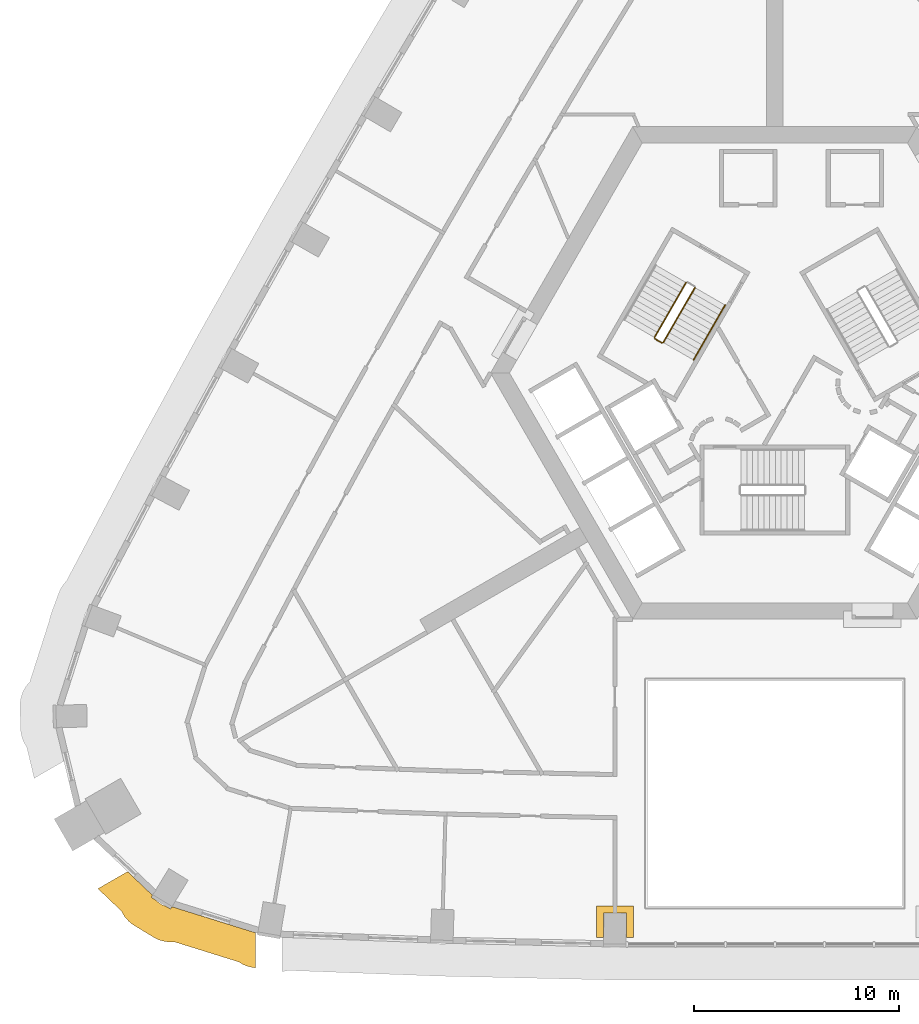
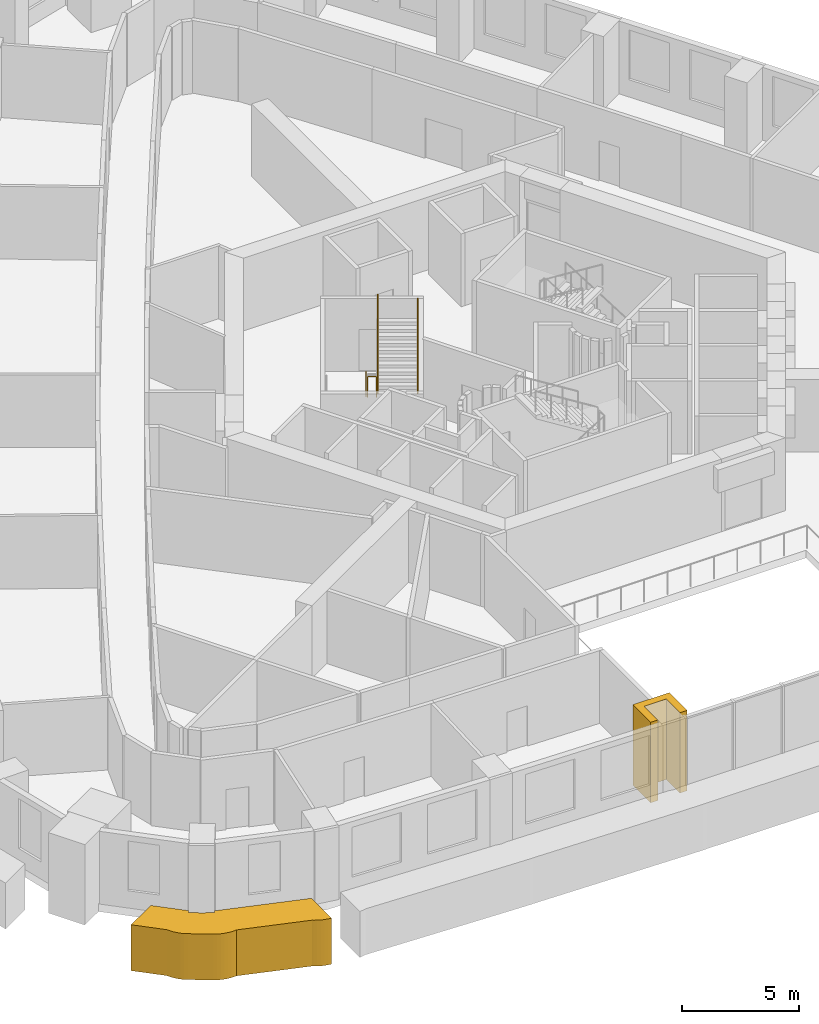
# One storey, part 12 of 17: 4 railings, 2 coverings.
"""IFC4 building model written with IfcOpenShell, lengths in metres."""

from ifc_helpers import new_model, si_unit, direction, frame, origin, origin_2d, place, context, subcontext, project, spatial, polyline, circle, outline, extrude, material, type_object, element, save


model = new_model("IFC4")

# Units and contexts
model_context = context("Model", 3, precision=1e-05, world=origin(), true_north=direction((0.0, 1.0)))
body_context = subcontext(model_context, "Body", "Model", "MODEL_VIEW")
ifc_project = project(units=[si_unit("LENGTHUNIT", "METRE"), si_unit("AREAUNIT", "SQUARE_METRE"), si_unit("VOLUMEUNIT", "CUBIC_METRE"), si_unit("PLANEANGLEUNIT", "RADIAN"), si_unit("MASSUNIT", "GRAM", prefix="KILO")], contexts=[model_context])

# Site, building, storey
site_placement = place(None, origin())
site = spatial("IfcSite", under=ifc_project, at=site_placement, CompositionType="ELEMENT")
building_placement = place(site_placement, origin())
building = spatial("IfcBuilding", under=site, at=building_placement, Name="Entoto Arch Interchange Tower", CompositionType="ELEMENT")
storey_placement = place(building_placement, frame((0.0, 0.0, 167.60009765625)))
storey = spatial("IfcBuildingStorey", under=building, at=storey_placement, Name="L37", CompositionType="ELEMENT", Elevation=167.60009765625)

# Coverings
ifc_material_1 = material(Name="Board-marked precast concrete C50/60", Category="concrete")
covering_type = type_object("IfcCoveringType", Name="PRECAST FRAME COURSE", PredefinedType="CLADDING", material=ifc_material_1)
covering_1_placement = place(storey_placement, frame((0.0, 0.0, -0.400146484375)))
element("IfcCovering", 1, at=covering_1_placement, inside=storey, type_object=covering_type, Name="Gate pier L37", PredefinedType="CLADDING", context=body_context, shape_type="SweptSolid", body=[
    extrude(outline(polyline([(-8.68896484375, -23.472900390625), (-6.888916015625, -23.472900390625), (-6.888916015625, -24.9990234375), (-7.239013671875, -24.9990234375), (-7.239013671875, -23.822998046875), (-8.339111328125, -23.822998046875), (-8.339111328125, -24.9990234375), (-8.68896484375, -24.9990234375), (-8.68896484375, -23.472900390625)])), origin(), (0.0, 0.0, 1.0), 4.199951171875),
])
covering_2_placement = place(storey_placement, frame((0.0, 0.0, -2.10009765625)))
element("IfcCovering", 2, at=covering_2_placement, inside=storey, type_object=covering_type, Name="Slab edge fin L37", PredefinedType="CLADDING", context=body_context, shape_type="SweptSolid", body=[
    extrude(outline(polyline([(-25.47998046875, -26.4619140625), (-25.634033203125, -26.427978515625), (-25.782958984375, -26.37890625), (-25.927001953125, -26.31591796875), (-26.06298828125, -26.239013671875), (-26.116943359375, -26.200927734375), (-29.279052734375, -25.215087890625), (-29.383056640625, -25.22412109375), (-29.5400390625, -25.222900390625), (-29.697021484375, -25.2060546875), (-29.85009765625, -25.174072265625), (-30.0, -25.1279296875), (-30.14501953125, -25.06591796875), (-30.282958984375, -24.990966796875), (-31.221923828125, -24.4189453125), (-31.35205078125, -24.330078125), (-31.471923828125, -24.22998046875), (-31.58203125, -24.117919921875), (-31.680908203125, -23.99609375), (-31.76708984375, -23.864013671875), (-31.840087890625, -23.72509765625), (-31.843994140625, -23.717041015625), (-32.987060546875, -22.6298828125), (-31.54296875, -21.7958984375), (-30.326904296875, -22.950927734375), (-30.388916015625, -23.052978515625), (-30.132080078125, -23.208984375), (-30.111083984375, -23.23193359375), (-30.04296875, -23.2939453125), (-29.968994140625, -23.347900390625), (-29.89111328125, -23.39599609375), (-29.80810546875, -23.43505859375), (-29.720947265625, -23.466064453125), (-29.7041015625, -23.469970703125), (-29.448974609375, -23.625), (-29.3779296875, -23.508056640625), (-25.319091796875, -24.77392578125), (-25.319091796875, -26.489013671875), (-25.47998046875, -26.4619140625)])), origin(), (0.0, 0.0, 1.0), 2.39990234375),
])

# Railings
ifc_material_2 = material(Name="Stainless steel 1.4301", Category="steel")
railing_type_1 = type_object("IfcRailingType", Name="STAIR GUARD 1100 STEEL", PredefinedType="GUARDRAIL", material=ifc_material_2)
railing_1_placement = place(storey_placement, frame((-4.327880859375, 6.904052734375, 0.1748046875)))
element("IfcRailing", 3, at=railing_1_placement, inside=storey, type_object=railing_type_1, Name="L37 ST-NW stair guard 1", PredefinedType="GUARDRAIL", context=body_context, shape_type="SweptSolid", body=[
    extrude(circle(Radius=0.02392578125, at=origin_2d()), frame((0.0, 0.0, 1.076171875), z_axis=(-0.423994474112, -0.734394994316, 0.52999309264), x_axis=(0.866029832698, -0.499992328818, 0.0)), (0.0, 0.0, 1.0), 3.63232421875),
    extrude(circle(Radius=0.02099609375, at=origin_2d()), origin(), (0.0, 0.0, 1.0), 1.052001953125),
    extrude(circle(Radius=0.02099609375, at=origin_2d()), frame((-0.385009765625, -0.6669921875, 0.481201171875)), (0.0, 0.0, 1.0), 1.052001953125),
    extrude(circle(Radius=0.02099609375, at=origin_2d()), frame((-0.77001953125, -1.333740234375, 0.96240234375)), (0.0, 0.0, 1.0), 1.052001953125),
    extrude(circle(Radius=0.02099609375, at=origin_2d()), frame((-1.155029296875, -2.00048828125, 1.44384765625)), (0.0, 0.0, 1.0), 1.052001953125),
    extrude(circle(Radius=0.02099609375, at=origin_2d()), frame((-1.5400390625, -2.66748046875, 1.925048828125)), (0.0, 0.0, 1.0), 1.052001953125),
])
railing_2_placement = place(storey_placement, frame((-5.849609375, 4.168212890625, 2.099853515625)))
element("IfcRailing", 4, at=railing_2_placement, inside=storey, type_object=railing_type_1, Name="L37 ST-NW stair guard 2", PredefinedType="GUARDRAIL", context=body_context, shape_type="SweptSolid", body=[
    extrude(circle(Radius=0.02392578125, at=origin_2d()), frame((0.0, 0.0, 1.076171875), z_axis=(0.866094119867, -0.499880961361, 0.0), x_axis=(0.499880961361, 0.866094119867, 0.0)), (0.0, 0.0, 1.0), 0.39990234375),
    extrude(circle(Radius=0.02099609375, at=origin_2d()), origin(), (0.0, 0.0, 1.0), 1.052001953125),
    extrude(circle(Radius=0.02099609375, at=origin_2d()), frame((0.346435546875, -0.199951171875, 0.0)), (0.0, 0.0, 1.0), 1.052001953125),
])
railing_3_placement = place(storey_placement, frame((-5.434814453125, 3.986572265625, 2.27490234375)))
element("IfcRailing", 5, at=railing_3_placement, inside=storey, type_object=railing_type_1, Name="L37 ST-NW stair guard 3", PredefinedType="GUARDRAIL", context=body_context, shape_type="SweptSolid", body=[
    extrude(circle(Radius=0.02392578125, at=origin_2d()), frame((0.0, 0.0, 1.076171875), z_axis=(0.423994474112, 0.734394994316, 0.52999309264), x_axis=(-0.866029832698, 0.499992328818, 0.0)), (0.0, 0.0, 1.0), 3.63232421875),
    extrude(circle(Radius=0.02099609375, at=origin_2d()), origin(), (0.0, 0.0, 1.0), 1.052001953125),
    extrude(circle(Radius=0.02099609375, at=origin_2d()), frame((0.385009765625, 0.6669921875, 0.481201171875)), (0.0, 0.0, 1.0), 1.052001953125),
    extrude(circle(Radius=0.02099609375, at=origin_2d()), frame((0.77001953125, 1.333740234375, 0.96240234375)), (0.0, 0.0, 1.0), 1.052001953125),
    extrude(circle(Radius=0.02099609375, at=origin_2d()), frame((1.155029296875, 2.00048828125, 1.44384765625)), (0.0, 0.0, 1.0), 1.052001953125),
    extrude(circle(Radius=0.02099609375, at=origin_2d()), frame((1.5400390625, 2.66748046875, 1.925048828125)), (0.0, 0.0, 1.0), 1.052001953125),
])
railing_type_2 = type_object("IfcRailingType", Name="STAIR HANDRAIL 900 STEEL", PredefinedType="HANDRAIL", material=ifc_material_2)
railing_4_placement = place(storey_placement, frame((-3.962646484375, 3.136474609375, 2.27490234375)))
element("IfcRailing", 6, at=railing_4_placement, inside=storey, type_object=railing_type_2, Name="L37 ST-NW stair handrail 2", PredefinedType="HANDRAIL", context=body_context, shape_type="SweptSolid", body=[
    extrude(circle(Radius=0.02392578125, at=origin_2d()), frame((0.0, 0.0, 0.8759765625), z_axis=(0.423994474112, 0.734394994316, 0.52999309264), x_axis=(-0.866029832698, 0.499992328818, 0.0)), (0.0, 0.0, 1.0), 3.63232421875),
    extrude(circle(Radius=0.02099609375, at=origin_2d()), origin(), (0.0, 0.0, 1.0), 0.851806640625),
    extrude(circle(Radius=0.02099609375, at=origin_2d()), frame((0.385009765625, 0.6669921875, 0.481201171875)), (0.0, 0.0, 1.0), 0.851806640625),
    extrude(circle(Radius=0.02099609375, at=origin_2d()), frame((0.77001953125, 1.333740234375, 0.96240234375)), (0.0, 0.0, 1.0), 0.851806640625),
    extrude(circle(Radius=0.02099609375, at=origin_2d()), frame((1.155029296875, 2.00048828125, 1.44384765625)), (0.0, 0.0, 1.0), 0.851806640625),
    extrude(circle(Radius=0.02099609375, at=origin_2d()), frame((1.5400390625, 2.66748046875, 1.925048828125)), (0.0, 0.0, 1.0), 0.851806640625),
])

save(model, "model.ifc")
